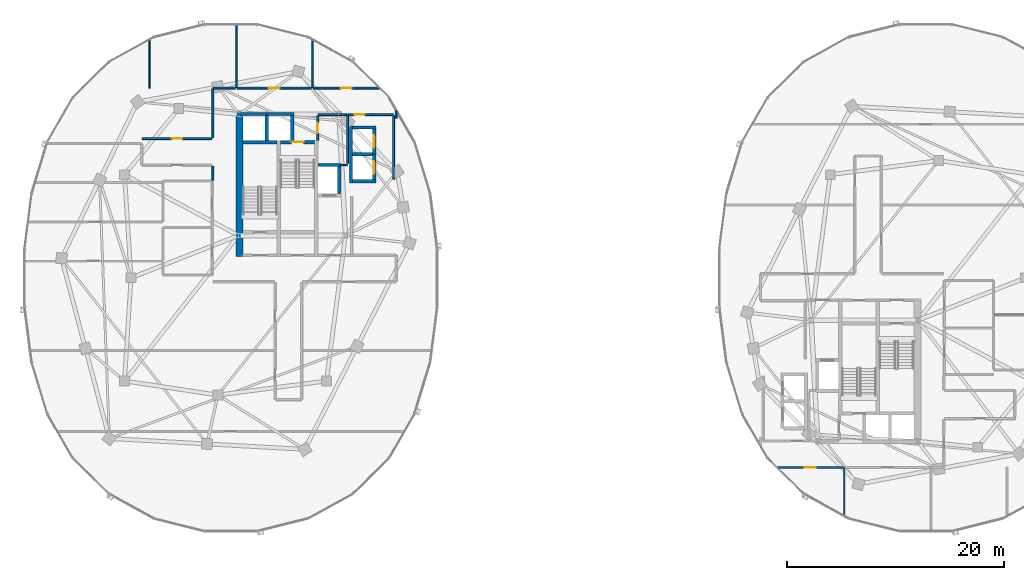
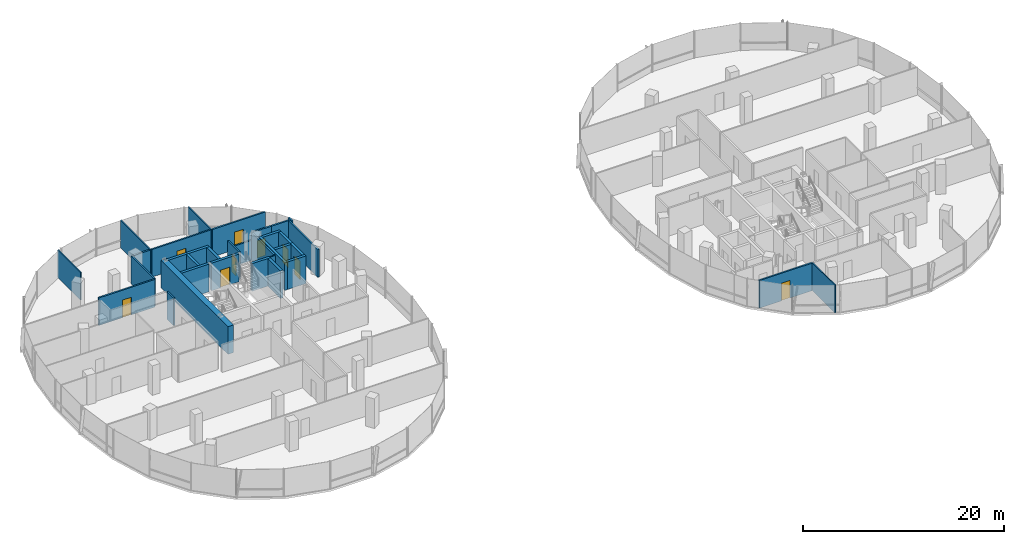
# One storey, part 13 of 23: 34 walls, 9 doors, 9 openings.
"""IFC4 building model written with IfcOpenShell, lengths in metres."""

from ifc_helpers import new_model, si_unit, direction, frame, frame_2d, origin, place, context, subcontext, project, spatial, rectangle, extrude, material, layer, layer_set, type_object, element, fill, save


model = new_model("IFC4")

# Units and contexts
model_context = context("Model", 3, precision=1e-05, world=origin(), true_north=direction((0.0, 1.0)))
body_context = subcontext(model_context, "Body", "Model", "MODEL_VIEW")
ifc_project = project(units=[si_unit("LENGTHUNIT", "METRE"), si_unit("AREAUNIT", "SQUARE_METRE"), si_unit("VOLUMEUNIT", "CUBIC_METRE"), si_unit("PLANEANGLEUNIT", "RADIAN"), si_unit("MASSUNIT", "GRAM", prefix="KILO"), si_unit("THERMODYNAMICTEMPERATUREUNIT", "KELVIN"), si_unit("POWERUNIT", "WATT")], contexts=[model_context])

# Site, building, storey
site_placement = place(None, origin())
site = spatial("IfcSite", under=ifc_project, at=site_placement, CompositionType="ELEMENT")
building_placement = place(site_placement, origin())
building = spatial("IfcBuilding", under=site, at=building_placement, Name="Cundina Bronze Exchange", CompositionType="ELEMENT")
storey_placement = place(building_placement, frame((0.0, 0.0, 172.800048828125)))
storey = spatial("IfcBuildingStorey", under=building, at=storey_placement, Name="L45", CompositionType="ELEMENT", Elevation=172.800048828125)

# Wall
ifc_material_1 = material(Name="Gypsum Fireboard Partition EI120")
ifc_layer_1 = layer(ifc_material_1, 0.179931640625, Name="Gypsum Fireboard Partition EI120")
ifc_layer_set_1 = layer_set([ifc_layer_1], Name="Gypsum Fireboard Partition EI120")
wall_type_1 = type_object("IfcWallType", Name="WL-COR-180", PredefinedType="PARTITIONING", material=ifc_layer_set_1)
wall_1_placement = place(storey_placement, frame((-17.02001953125, 9.070068359375, 0.0), z_axis=(0.0, 0.0, 1.0), x_axis=(0.0, 1.0, 0.0)))
element("IfcWall", 1, at=wall_1_placement, inside=storey, type_object=wall_type_1, Name="L45 Interior Partition 001", PredefinedType="PARTITIONING", context=body_context, shape_type="SweptSolid", body=[
    extrude(rectangle(XDim=5.85986328125, YDim=0.179931640625, at=frame_2d((2.929931640625, 0.0))), origin(), (0.0, 0.0, 1.0), 3.35986328125),
])

# Wall, opening, door
wall_2_placement = place(storey_placement, frame((-21.22998046875, 15.030029296875, 0.0), z_axis=(0.0, 0.0, 1.0), x_axis=(1.0, 0.0, 0.0)))
wall_2 = element("IfcWall", 2, at=wall_2_placement, inside=storey, type_object=wall_type_1, Name="L45 Interior Partition 002", PredefinedType="PARTITIONING", context=body_context, shape_type="SweptSolid", body=[
    extrude(rectangle(XDim=2.159912109375, YDim=0.179931640625, at=frame_2d((1.080078125, 0.0))), origin(), (0.0, 0.0, 1.0), 3.35986328125),
])
opening_1_placement = place(wall_2_placement, frame((0.60498046875, 0.0, 0.0)))
opening_1 = element("IfcOpeningElement", 3, at=opening_1_placement, cuts=wall_2, Name="Opening DW-01", PredefinedType="OPENING", context=body_context, shape_type="SweptSolid", body=[
    extrude(rectangle(XDim=0.949951171875, YDim=2.10009765625, at=frame_2d((0.47509765625, 1.050048828125))), frame((0.0, 0.099853515625, 0.0), z_axis=(0.0, -1.0, 0.0), x_axis=(1.0, 0.0, 0.0)), (0.0, 0.0, 1.0), 0.199951171875),
])
ifc_material_2 = material(Name="Solid Andean Oak Timber Grade A", Category="wood")
door_type_1 = type_object("IfcDoorType", Name="DR-WC-950", OperationType="NOTDEFINED", PredefinedType="DOOR", material=ifc_material_2)
door_1_placement = place(opening_1_placement, origin())
door_1 = element("IfcDoor", 4, at=door_1_placement, inside=storey, type_object=door_type_1, Name="L45 Interior Door 002", OperationType="SINGLE_SWING_RIGHT", OverallHeight=2.10009765625, OverallWidth=0.949951171875, PredefinedType="DOOR", context=body_context, shape_type="SweptSolid", body=[
    extrude(rectangle(XDim=0.949951171875, YDim=2.10009765625, at=frame_2d((0.47509765625, 1.050048828125))), frame((0.0, 0.02490234375, 0.0), z_axis=(0.0, -1.0, 0.0), x_axis=(1.0, 0.0, 0.0)), (0.0, 0.0, 1.0), 0.050048828125),
])
fill(opening_1, door_1)

# Walls
wall_3_placement = place(storey_placement, frame((-19.030029296875, 15.030029296875, 0.0), z_axis=(0.0, 0.0, 1.0), x_axis=(1.0, 0.0, 0.0)))
element("IfcWall", 5, at=wall_3_placement, inside=storey, type_object=wall_type_1, Name="L45 Interior Partition 003", PredefinedType="PARTITIONING", context=body_context, shape_type="SweptSolid", body=[
    extrude(rectangle(XDim=1.989990234375, YDim=0.179931640625, at=frame_2d((0.9951171875, 0.0))), origin(), (0.0, 0.0, 1.0), 3.35986328125),
])
wall_4_placement = place(storey_placement, frame((-21.25, 10.570068359375, 0.0), z_axis=(0.0, 0.0, 1.0), x_axis=(0.0, 1.0, 0.0)))
element("IfcWall", 6, at=wall_4_placement, inside=storey, type_object=wall_type_1, Name="L45 Interior Partition 005", PredefinedType="PARTITIONING", context=body_context, shape_type="SweptSolid", body=[
    extrude(rectangle(XDim=4.35986328125, YDim=0.179931640625, at=frame_2d((2.179931640625, 0.0))), origin(), (0.0, 0.0, 1.0), 3.35986328125),
])
wall_5_placement = place(storey_placement, frame((-23.9599609375, 15.030029296875, 0.0), z_axis=(0.0, 0.0, 1.0), x_axis=(1.0, 0.0, 0.0)))
element("IfcWall", 7, at=wall_5_placement, inside=storey, type_object=wall_type_1, Name="L45 Interior Partition 006", PredefinedType="PARTITIONING", context=body_context, shape_type="SweptSolid", body=[
    extrude(rectangle(XDim=2.60986328125, YDim=0.179931640625, at=frame_2d((1.304931640625, 0.0))), origin(), (0.0, 0.0, 1.0), 2.432861328125),
])

# Wall, opening, door
wall_6_placement = place(storey_placement, frame((-24.02001953125, 12.669921875, 0.0), z_axis=(0.0, 0.0, 1.0), x_axis=(0.0, 1.0, 0.0)))
wall_6 = element("IfcWall", 8, at=wall_6_placement, inside=storey, type_object=wall_type_1, Name="L45 Interior Partition 008", PredefinedType="PARTITIONING", context=body_context, shape_type="SweptSolid", body=[
    extrude(rectangle(XDim=2.260009765625, YDim=0.179931640625, at=frame_2d((1.1298828125, 0.0))), origin(), (0.0, 0.0, 1.0), 3.35986328125),
])
opening_2_placement = place(wall_6_placement, frame((0.655029296875, 0.0, 0.0)))
opening_2 = element("IfcOpeningElement", 9, at=opening_2_placement, cuts=wall_6, Name="Opening DW-01", PredefinedType="OPENING", context=body_context, shape_type="SweptSolid", body=[
    extrude(rectangle(XDim=0.949951171875, YDim=2.10009765625, at=frame_2d((0.47509765625, 1.050048828125))), frame((0.0, 0.099853515625, 0.0), z_axis=(0.0, -1.0, 0.0), x_axis=(1.0, 0.0, 0.0)), (0.0, 0.0, 1.0), 0.199951171875),
])
door_2_placement = place(opening_2_placement, origin())
door_2 = element("IfcDoor", 10, at=door_2_placement, inside=storey, type_object=door_type_1, Name="L45 Interior Door 008", OperationType="SINGLE_SWING_RIGHT", OverallHeight=2.10009765625, OverallWidth=0.949951171875, PredefinedType="DOOR", context=body_context, shape_type="SweptSolid", body=[
    extrude(rectangle(XDim=0.949951171875, YDim=2.10009765625, at=frame_2d((0.47509765625, 1.050048828125))), frame((0.0, 0.02490234375, 0.0), z_axis=(0.0, -1.0, 0.0), x_axis=(1.0, 0.0, 0.0)), (0.0, 0.0, 1.0), 0.050048828125),
])
fill(opening_2, door_2)

# Walls
wall_7_placement = place(storey_placement, frame((-16.780029296875, 14.721435546875, 0.0), z_axis=(0.0, 0.0, 1.0), x_axis=(0.0, 1.0, 0.0)))
element("IfcWall", 11, at=wall_7_placement, inside=storey, type_object=wall_type_1, Name="L45 Interior Partition 033", PredefinedType="PARTITIONING", context=body_context, shape_type="SweptSolid", body=[
    extrude(rectangle(XDim=0.68359375, YDim=0.179931640625, at=frame_2d((0.341796875, 0.0))), origin(), (0.0, 0.0, 1.0), 3.35986328125),
])
wall_8_placement = place(storey_placement, frame((-33.669921875, 10.300048828125, 0.0), z_axis=(0.0, 0.0, 1.0), x_axis=(0.0, -1.0, 0.0)))
element("IfcWall", 12, at=wall_8_placement, inside=storey, type_object=wall_type_1, Name="L45 Interior Partition 036", PredefinedType="PARTITIONING", context=body_context, shape_type="SweptSolid", body=[
    extrude(rectangle(XDim=1.298583984375, YDim=0.179931640625, at=frame_2d((0.6494140625, 0.0))), origin(), (0.0, 0.0, 1.0), 3.35986328125),
])

# Wall, opening, door
wall_9_placement = place(storey_placement, frame((-33.75, 12.820068359375, 0.0), z_axis=(0.0, 0.0, 1.0), x_axis=(-1.0, 0.0, 0.0)))
wall_9 = element("IfcWall", 13, at=wall_9_placement, inside=storey, type_object=wall_type_1, Name="L45 Interior Partition 037", PredefinedType="PARTITIONING", context=body_context, shape_type="SweptSolid", body=[
    extrude(rectangle(XDim=6.428466796875, YDim=0.179931640625, at=frame_2d((3.21435546875, 0.0))), origin(), (0.0, 0.0, 1.0), 3.35986328125),
])
opening_3_placement = place(wall_9_placement, frame((2.714111328125, 0.0, 0.0)))
opening_3 = element("IfcOpeningElement", 14, at=opening_3_placement, cuts=wall_9, Name="Opening DO-01", PredefinedType="OPENING", context=body_context, shape_type="SweptSolid", body=[
    extrude(rectangle(XDim=1.0, YDim=2.14990234375, at=frame_2d((0.5, 1.074951171875))), frame((0.0, 0.099853515625, 0.0), z_axis=(0.0, -1.0, 0.0), x_axis=(1.0, 0.0, 0.0)), (0.0, 0.0, 1.0), 0.199951171875),
])
door_type_2 = type_object("IfcDoorType", Name="DR-OFF-1000", OperationType="NOTDEFINED", PredefinedType="DOOR", material=ifc_material_2)
door_3_placement = place(opening_3_placement, origin())
door_3 = element("IfcDoor", 15, at=door_3_placement, inside=storey, type_object=door_type_2, Name="L45 Interior Door 037", OperationType="SINGLE_SWING_RIGHT", OverallHeight=2.14990234375, OverallWidth=1.0, PredefinedType="DOOR", context=body_context, shape_type="SweptSolid", body=[
    extrude(rectangle(XDim=1.0, YDim=2.14990234375, at=frame_2d((0.5, 1.074951171875))), frame((0.0, 0.02490234375, 0.0), z_axis=(0.0, -1.0, 0.0), x_axis=(1.0, 0.0, 0.0)), (0.0, 0.0, 1.0), 0.050048828125),
])
fill(opening_3, door_3)

# Walls
wall_10_placement = place(storey_placement, frame((-33.669921875, 17.428466796875, 0.0), z_axis=(0.0, 0.0, 1.0), x_axis=(0.0, -1.0, 0.0)))
element("IfcWall", 16, at=wall_10_placement, inside=storey, type_object=wall_type_1, Name="L45 Interior Partition 038", PredefinedType="PARTITIONING", context=body_context, shape_type="SweptSolid", body=[
    extrude(rectangle(XDim=4.528564453125, YDim=0.179931640625, at=frame_2d((2.26416015625, 0.0))), origin(), (0.0, 0.0, 1.0), 3.35986328125),
])
wall_11_placement = place(storey_placement, frame((-31.590087890625, 17.469970703125, 0.0), z_axis=(0.0, 0.0, 1.0), x_axis=(-1.0, 0.0, 0.0)))
element("IfcWall", 17, at=wall_11_placement, inside=storey, type_object=wall_type_1, Name="L45 Interior Partition 039", PredefinedType="PARTITIONING", context=body_context, shape_type="SweptSolid", body=[
    extrude(rectangle(XDim=2.038330078125, YDim=0.179931640625, at=frame_2d((1.01904296875, 0.0))), origin(), (0.0, 0.0, 1.0), 3.35986328125),
])

# Wall, opening, door
wall_12_placement = place(storey_placement, frame((-18.341796875, 17.469970703125, 0.0), z_axis=(0.0, 0.0, 1.0), x_axis=(-1.0, 0.0, 0.0)))
wall_12 = element("IfcWall", 18, at=wall_12_placement, inside=storey, type_object=wall_type_1, Name="L45 Interior Partition 040", PredefinedType="PARTITIONING", context=body_context, shape_type="SweptSolid", body=[
    extrude(rectangle(XDim=6.068115234375, YDim=0.179931640625, at=frame_2d((3.0341796875, 0.0))), origin(), (0.0, 0.0, 1.0), 3.35986328125),
])
opening_4_placement = place(wall_12_placement, frame((2.5341796875, 0.0, 0.0)))
opening_4 = element("IfcOpeningElement", 19, at=opening_4_placement, cuts=wall_12, Name="Opening DO-01", PredefinedType="OPENING", context=body_context, shape_type="SweptSolid", body=[
    extrude(rectangle(XDim=1.0, YDim=2.14990234375, at=frame_2d((0.5, 1.074951171875))), frame((0.0, 0.099853515625, 0.0), z_axis=(0.0, -1.0, 0.0), x_axis=(1.0, 0.0, 0.0)), (0.0, 0.0, 1.0), 0.199951171875),
])
door_4_placement = place(opening_4_placement, origin())
door_4 = element("IfcDoor", 20, at=door_4_placement, inside=storey, type_object=door_type_2, Name="L45 Interior Door 040", OperationType="SINGLE_SWING_LEFT", OverallHeight=2.14990234375, OverallWidth=1.0, PredefinedType="DOOR", context=body_context, shape_type="SweptSolid", body=[
    extrude(rectangle(XDim=1.0, YDim=2.14990234375, at=frame_2d((0.5, 1.074951171875))), frame((0.0, 0.02490234375, 0.0), z_axis=(0.0, -1.0, 0.0), x_axis=(1.0, 0.0, 0.0)), (0.0, 0.0, 1.0), 0.050048828125),
])
fill(opening_4, door_4)

wall_13_placement = place(storey_placement, frame((-24.590087890625, 17.469970703125, 0.0), z_axis=(0.0, 0.0, 1.0), x_axis=(-1.0, 0.0, 0.0)))
wall_13 = element("IfcWall", 21, at=wall_13_placement, inside=storey, type_object=wall_type_1, Name="L45 Interior Partition 041", PredefinedType="PARTITIONING", context=body_context, shape_type="SweptSolid", body=[
    extrude(rectangle(XDim=6.81982421875, YDim=0.179931640625, at=frame_2d((3.409912109375, 0.0))), origin(), (0.0, 0.0, 1.0), 3.35986328125),
])
opening_5_placement = place(wall_13_placement, frame((2.909912109375, 0.0, 0.0)))
opening_5 = element("IfcOpeningElement", 22, at=opening_5_placement, cuts=wall_13, Name="Opening DO-01", PredefinedType="OPENING", context=body_context, shape_type="SweptSolid", body=[
    extrude(rectangle(XDim=1.0, YDim=2.14990234375, at=frame_2d((0.5, 1.074951171875))), frame((0.0, 0.099853515625, 0.0), z_axis=(0.0, -1.0, 0.0), x_axis=(1.0, 0.0, 0.0)), (0.0, 0.0, 1.0), 0.199951171875),
])
door_5_placement = place(opening_5_placement, origin())
door_5 = element("IfcDoor", 23, at=door_5_placement, inside=storey, type_object=door_type_2, Name="L45 Interior Door 041", OperationType="SINGLE_SWING_LEFT", OverallHeight=2.14990234375, OverallWidth=1.0, PredefinedType="DOOR", context=body_context, shape_type="SweptSolid", body=[
    extrude(rectangle(XDim=1.0, YDim=2.14990234375, at=frame_2d((0.5, 1.074951171875))), frame((0.0, 0.02490234375, 0.0), z_axis=(0.0, -1.0, 0.0), x_axis=(1.0, 0.0, 0.0)), (0.0, 0.0, 1.0), 0.050048828125),
])
fill(opening_5, door_5)

wall_14_placement = place(storey_placement, frame((18.341796875, -17.469970703125, 0.0), z_axis=(0.0, 0.0, 1.0), x_axis=(1.0, 0.0, 0.0)))
wall_14 = element("IfcWall", 24, at=wall_14_placement, inside=storey, type_object=wall_type_1, Name="L45 Interior Partition 068", PredefinedType="PARTITIONING", context=body_context, shape_type="SweptSolid", body=[
    extrude(rectangle(XDim=6.068115234375, YDim=0.179931640625, at=frame_2d((3.0341796875, 0.0))), origin(), (0.0, 0.0, 1.0), 3.35986328125),
])
opening_6_placement = place(wall_14_placement, frame((2.5341796875, 0.0, 0.0)))
opening_6 = element("IfcOpeningElement", 25, at=opening_6_placement, cuts=wall_14, Name="Opening DO-01", PredefinedType="OPENING", context=body_context, shape_type="SweptSolid", body=[
    extrude(rectangle(XDim=1.0, YDim=2.14990234375, at=frame_2d((0.5, 1.074951171875))), frame((0.0, 0.099853515625, 0.0), z_axis=(0.0, -1.0, 0.0), x_axis=(1.0, 0.0, 0.0)), (0.0, 0.0, 1.0), 0.199951171875),
])
door_6_placement = place(opening_6_placement, origin())
door_6 = element("IfcDoor", 26, at=door_6_placement, inside=storey, type_object=door_type_2, Name="L45 Interior Door 068", OperationType="SINGLE_SWING_RIGHT", OverallHeight=2.14990234375, OverallWidth=1.0, PredefinedType="DOOR", context=body_context, shape_type="SweptSolid", body=[
    extrude(rectangle(XDim=1.0, YDim=2.14990234375, at=frame_2d((0.5, 1.074951171875))), frame((0.0, 0.02490234375, 0.0), z_axis=(0.0, -1.0, 0.0), x_axis=(1.0, 0.0, 0.0)), (0.0, 0.0, 1.0), 0.050048828125),
])
fill(opening_6, door_6)

# Walls
ifc_material_3 = material(Name="Concrete C50/60", Category="concrete")
ifc_layer_2 = layer(ifc_material_3, 0.64990234375, Name="Concrete C50/60", Category="concrete")
ifc_layer_set_2 = layer_set([ifc_layer_2], Name="Concrete C50/60")
wall_type_2 = type_object("IfcWallType", Name="WL-CORE-650", PredefinedType="SHEAR", material=ifc_layer_set_2)
wall_15_placement = place(storey_placement, frame((-31.22509765625, 1.969970703125, 0.0), z_axis=(0.0, 0.0, 1.0), x_axis=(0.0, 1.0, 0.0)))
element("IfcWall", 27, at=wall_15_placement, inside=storey, type_object=wall_type_2, Name="L45 W Primary Core Shear Spine Wall", PredefinedType="SHEAR", context=body_context, shape_type="SweptSolid", body=[
    extrude(rectangle(XDim=13.330078125, YDim=0.64990234375, at=frame_2d((6.6650390625, 0.0))), origin(), (0.0, 0.0, 1.0), 3.35986328125),
])
ifc_material_4 = material(Name="Gypsum Acoustic Partition EI60")
ifc_layer_3 = layer(ifc_material_4, 0.125, Name="Gypsum Acoustic Partition EI60")
ifc_layer_set_3 = layer_set([ifc_layer_3], Name="Gypsum Acoustic Partition EI60")
wall_type_3 = type_object("IfcWallType", Name="WL-OFF-125", PredefinedType="PARTITIONING", material=ifc_layer_set_3)
wall_16_placement = place(storey_placement, frame((-39.5, 17.469970703125, 0.0), z_axis=(0.0, 0.0, 1.0), x_axis=(0.0, 1.0, 0.0)))
element("IfcWall", 28, at=wall_16_placement, inside=storey, type_object=wall_type_3, Name="L45 Interior Partition 021", PredefinedType="PARTITIONING", context=body_context, shape_type="SweptSolid", body=[
    extrude(rectangle(XDim=4.55517578125, YDim=0.125, at=frame_2d((2.277587890625, 0.0))), origin(), (0.0, 0.0, 1.0), 3.35986328125),
])
wall_17_placement = place(storey_placement, frame((-31.5, 17.5, 0.0), z_axis=(0.0, 0.0, 1.0), x_axis=(0.0, 1.0, 0.0)))
element("IfcWall", 29, at=wall_17_placement, inside=storey, type_object=wall_type_3, Name="L45 Interior Partition 022", PredefinedType="PARTITIONING", context=body_context, shape_type="SweptSolid", body=[
    extrude(rectangle(XDim=5.902099609375, YDim=0.125, at=frame_2d((2.951171875, 0.0))), origin(), (0.0, 0.0, 1.0), 3.35986328125),
])
for number, where, z_axis, x_axis, name in (
    (30, (-24.5, 17.5, 0.0), (0.0, 0.0, 1.0), (0.0, 1.0, 0.0), "L45 Interior Partition 023"),
    (31, (24.5, -22.025146484375, 0.0), (0.0, 0.0, 1.0), (0.0, 1.0, 0.0), "L45 Interior Partition 064"),
):
    element("IfcWall", number, at=place(storey_placement, frame(where, z_axis=z_axis, x_axis=x_axis)), inside=storey, type_object=wall_type_3, Name=name, PredefinedType="PARTITIONING", context=body_context, shape_type="SweptSolid", body=[
        extrude(rectangle(XDim=4.525146484375, YDim=0.125, at=frame_2d((2.2626953125, 0.0))), origin(), (0.0, 0.0, 1.0), 3.35986328125),
    ])
ifc_layer_4 = layer(ifc_material_3, 0.300048828125, Name="Concrete C50/60", Category="concrete")
ifc_layer_set_4 = layer_set([ifc_layer_4], Name="Concrete C50/60")
wall_type_4 = type_object("IfcWallType", Name="WL-SHFT-300", PredefinedType="SHEAR", material=ifc_layer_set_4)
wall_18_placement = place(storey_placement, frame((-30.89990234375, 12.5, 0.0), z_axis=(0.0, 0.0, 1.0), x_axis=(1.0, 0.0, 0.0)))
element("IfcWall", 32, at=wall_18_placement, inside=storey, type_object=wall_type_4, Name="L45 Stair W1 Far Shaft Wall", PredefinedType="SHEAR", context=body_context, shape_type="SweptSolid", body=[
    extrude(rectangle(XDim=3.159912109375, YDim=0.300048828125, at=frame_2d((1.580078125, 0.0))), origin(), (0.0, 0.0, 1.0), 3.35986328125),
])

# Wall, opening, door
wall_19_placement = place(storey_placement, frame((-27.43994140625, 12.5, 0.0), z_axis=(0.0, 0.0, 1.0), x_axis=(1.0, 0.0, 0.0)))
wall_19 = element("IfcWall", 33, at=wall_19_placement, inside=storey, type_object=wall_type_4, Name="L45 Stair W2 Landing Wall", PredefinedType="SHEAR", context=body_context, shape_type="SweptSolid", body=[
    extrude(rectangle(XDim=3.159912109375, YDim=0.300048828125, at=frame_2d((1.580078125, 0.0))), origin(), (0.0, 0.0, 1.0), 3.35986328125),
])
opening_7_placement = place(wall_19_placement, frame((1.030029296875, 0.0, 0.0)))
opening_7 = element("IfcOpeningElement", 34, at=opening_7_placement, cuts=wall_19, Name="Opening DS-01", PredefinedType="OPENING", context=body_context, shape_type="SweptSolid", body=[
    extrude(rectangle(XDim=1.10009765625, YDim=2.14990234375, at=frame_2d((0.550048828125, 1.074951171875))), frame((0.0, 0.159912109375, 0.0), z_axis=(0.0, -1.0, 0.0), x_axis=(1.0, 0.0, 0.0)), (0.0, 0.0, 1.0), 0.320068359375),
])
ifc_material_5 = material(Name="Steel ASTM A36 Painted", Category="steel")
door_type_3 = type_object("IfcDoorType", Name="DR-STR-1100", OperationType="NOTDEFINED", PredefinedType="DOOR", material=ifc_material_5)
door_7_placement = place(opening_7_placement, origin())
door_7 = element("IfcDoor", 35, at=door_7_placement, inside=storey, type_object=door_type_3, Name="L45 Smokeproof Stair W2 Door", OperationType="SINGLE_SWING_LEFT", OverallHeight=2.14990234375, OverallWidth=1.10009765625, PredefinedType="DOOR", context=body_context, shape_type="SweptSolid", body=[
    extrude(rectangle(XDim=1.10009765625, YDim=2.14990234375, at=frame_2d((0.550048828125, 1.074951171875))), frame((0.0, 0.02490234375, 0.0), z_axis=(0.0, -1.0, 0.0), x_axis=(1.0, 0.0, 0.0)), (0.0, 0.0, 1.0), 0.050048828125),
])
fill(opening_7, door_7)

# Walls
wall_20_placement = place(storey_placement, frame((-23.97998046875, 10.39990234375, 0.0), z_axis=(0.0, 0.0, 1.0), x_axis=(1.0, 0.0, 0.0)))
element("IfcWall", 36, at=wall_20_placement, inside=storey, type_object=wall_type_4, Name="L45 FFL-W Hoistway Back Wall", PredefinedType="SHEAR", context=body_context, shape_type="SweptSolid", body=[
    extrude(rectangle(XDim=2.10009765625, YDim=0.300048828125, at=frame_2d((1.050048828125, 0.0))), origin(), (0.0, 0.0, 1.0), 3.35986328125),
])
for number, where, z_axis, x_axis, name in (
    (37, (-22.030029296875, 7.75, 0.0), (0.0, 0.0, 1.0), (0.0, 1.0, 0.0), "L45 FFL-W Hoistway Side Wall"),
    (38, (-31.199951171875, 15.10009765625, 0.0), (0.0, 0.0, 1.0), (1.0, 0.0, 0.0), "L45 PH-W1 Hoistway Front Wall"),
):
    element("IfcWall", number, at=place(storey_placement, frame(where, z_axis=z_axis, x_axis=x_axis)), inside=storey, type_object=wall_type_4, Name=name, PredefinedType="SHEAR", context=body_context, shape_type="SweptSolid", body=[
        extrude(rectangle(XDim=2.5, YDim=0.300048828125, at=frame_2d((1.25, 0.0))), origin(), (0.0, 0.0, 1.0), 3.35986328125),
    ])
wall_21_placement = place(storey_placement, frame((-28.699951171875, 12.64990234375, 0.0), z_axis=(0.0, 0.0, 1.0), x_axis=(0.0, 1.0, 0.0)))
element("IfcWall", 39, at=wall_21_placement, inside=storey, type_object=wall_type_4, Name="L45 PH-W1 Hoistway Divider Wall", PredefinedType="SHEAR", context=body_context, shape_type="SweptSolid", body=[
    extrude(rectangle(XDim=2.300048828125, YDim=0.300048828125, at=frame_2d((1.14990234375, 0.0))), origin(), (0.0, 0.0, 1.0), 3.35986328125),
])
wall_22_placement = place(storey_placement, frame((-28.699951171875, 15.10009765625, 0.0), z_axis=(0.0, 0.0, 1.0), x_axis=(1.0, 0.0, 0.0)))
element("IfcWall", 40, at=wall_22_placement, inside=storey, type_object=wall_type_4, Name="L45 PH-W2 Hoistway Front Wall", PredefinedType="SHEAR", context=body_context, shape_type="SweptSolid", body=[
    extrude(rectangle(XDim=2.5, YDim=0.300048828125, at=frame_2d((1.25, 0.0))), origin(), (0.0, 0.0, 1.0), 3.35986328125),
])
wall_23_placement = place(storey_placement, frame((-26.35009765625, 12.64990234375, 0.0), z_axis=(0.0, 0.0, 1.0), x_axis=(0.0, 1.0, 0.0)))
element("IfcWall", 41, at=wall_23_placement, inside=storey, type_object=wall_type_4, Name="L45 PH-W2 Hoistway Divider Wall", PredefinedType="SHEAR", context=body_context, shape_type="SweptSolid", body=[
    extrude(rectangle(XDim=2.300048828125, YDim=0.300048828125, at=frame_2d((1.14990234375, 0.0))), origin(), (0.0, 0.0, 1.0), 3.35986328125),
])
wall_24_placement = place(storey_placement, frame((-20.949951171875, 8.75, 0.0), z_axis=(0.0, 0.0, 1.0), x_axis=(0.0, 1.0, 0.0)))
element("IfcWall", 42, at=wall_24_placement, inside=storey, type_object=wall_type_4, Name="L45 W Passenger Bank Hoistway Back Wall", PredefinedType="SHEAR", context=body_context, shape_type="SweptSolid", body=[
    extrude(rectangle(XDim=5.25, YDim=0.300048828125, at=frame_2d((2.625, 0.0))), origin(), (0.0, 0.0, 1.0), 3.35986328125),
])
for number, where, z_axis, x_axis, name in (
    (43, (-20.800048828125, 8.89990234375, 0.0), (0.0, 0.0, 1.0), (1.0, 0.0, 0.0), "L45 W Passenger Bank South Cap Wall"),
    (44, (-20.800048828125, 13.85009765625, 0.0), (0.0, 0.0, 1.0), (1.0, 0.0, 0.0), "L45 W Passenger Bank North Cap Wall"),
):
    element("IfcWall", number, at=place(storey_placement, frame(where, z_axis=z_axis, x_axis=x_axis)), inside=storey, type_object=wall_type_4, Name=name, PredefinedType="SHEAR", context=body_context, shape_type="SweptSolid", body=[
        extrude(rectangle(XDim=2.150146484375, YDim=0.300048828125, at=frame_2d((1.0751953125, 0.0))), origin(), (0.0, 0.0, 1.0), 3.35986328125),
    ])
wall_25_placement = place(storey_placement, frame((-20.800048828125, 11.375, 0.0), z_axis=(0.0, 0.0, 1.0), x_axis=(1.0, 0.0, 0.0)))
element("IfcWall", 45, at=wall_25_placement, inside=storey, type_object=wall_type_4, Name="L45 W Passenger Hoistway Divider 1", PredefinedType="SHEAR", context=body_context, shape_type="SweptSolid", body=[
    extrude(rectangle(XDim=1.85009765625, YDim=0.300048828125, at=frame_2d((0.925048828125, 0.0))), origin(), (0.0, 0.0, 1.0), 3.35986328125),
])

# Wall, opening, door
wall_26_placement = place(storey_placement, frame((-18.800048828125, 8.929931640625, 0.0), z_axis=(0.0, 0.0, 1.0), x_axis=(0.0, 1.0, 0.0)))
wall_26 = element("IfcWall", 46, at=wall_26_placement, inside=storey, type_object=wall_type_4, Name="L45 PM-W2 Hoistway Front Wall", PredefinedType="SHEAR", context=body_context, shape_type="SweptSolid", body=[
    extrude(rectangle(XDim=2.489990234375, YDim=0.300048828125, at=frame_2d((1.2451171875, 0.0))), origin(), (0.0, 0.0, 1.0), 3.35986328125),
])
opening_8_placement = place(wall_26_placement, frame((0.669921875, 0.0, 0.0)))
opening_8 = element("IfcOpeningElement", 47, at=opening_8_placement, cuts=wall_26, Name="Opening LD-01", PredefinedType="OPENING", context=body_context, shape_type="SweptSolid", body=[
    extrude(rectangle(XDim=1.14990234375, YDim=2.199951171875, at=frame_2d((0.574951171875, 1.10009765625))), frame((0.0, 0.159912109375, 0.0), z_axis=(0.0, -1.0, 0.0), x_axis=(1.0, 0.0, 0.0)), (0.0, 0.0, 1.0), 0.320068359375),
])
door_type_4 = type_object("IfcDoorType", Name="DR-LND-1150", OperationType="NOTDEFINED", PredefinedType="TRAPDOOR", material=ifc_material_5)
door_8_placement = place(opening_8_placement, origin())
door_8 = element("IfcDoor", 48, at=door_8_placement, inside=storey, type_object=door_type_4, Name="L45 PM-W2 Sliding Landing Door", OperationType="SLIDING_TO_LEFT", OverallHeight=2.199951171875, OverallWidth=1.14990234375, PredefinedType="TRAPDOOR", context=body_context, shape_type="SweptSolid", body=[
    extrude(rectangle(XDim=1.14990234375, YDim=2.199951171875, at=frame_2d((0.574951171875, 1.10009765625))), frame((0.0, 0.02490234375, 0.0), z_axis=(0.0, -1.0, 0.0), x_axis=(1.0, 0.0, 0.0)), (0.0, 0.0, 1.0), 0.050048828125),
])
fill(opening_8, door_8)

wall_27_placement = place(storey_placement, frame((-18.800048828125, 11.330078125, 0.0), z_axis=(0.0, 0.0, 1.0), x_axis=(0.0, 1.0, 0.0)))
wall_27 = element("IfcWall", 49, at=wall_27_placement, inside=storey, type_object=wall_type_4, Name="L45 PM-W1 Hoistway Front Wall", PredefinedType="SHEAR", context=body_context, shape_type="SweptSolid", body=[
    extrude(rectangle(XDim=2.489990234375, YDim=0.300048828125, at=frame_2d((1.2451171875, 0.0))), origin(), (0.0, 0.0, 1.0), 3.35986328125),
])
opening_9_placement = place(wall_27_placement, frame((0.669921875, 0.0, 0.0)))
opening_9 = element("IfcOpeningElement", 50, at=opening_9_placement, cuts=wall_27, Name="Opening LD-01", PredefinedType="OPENING", context=body_context, shape_type="SweptSolid", body=[
    extrude(rectangle(XDim=1.14990234375, YDim=2.199951171875, at=frame_2d((0.574951171875, 1.10009765625))), frame((0.0, 0.159912109375, 0.0), z_axis=(0.0, -1.0, 0.0), x_axis=(1.0, 0.0, 0.0)), (0.0, 0.0, 1.0), 0.320068359375),
])
door_9_placement = place(opening_9_placement, origin())
door_9 = element("IfcDoor", 51, at=door_9_placement, inside=storey, type_object=door_type_4, Name="L45 PM-W1 Sliding Landing Door", OperationType="SLIDING_TO_LEFT", OverallHeight=2.199951171875, OverallWidth=1.14990234375, PredefinedType="TRAPDOOR", context=body_context, shape_type="SweptSolid", body=[
    extrude(rectangle(XDim=1.14990234375, YDim=2.199951171875, at=frame_2d((0.574951171875, 1.10009765625))), frame((0.0, 0.02490234375, 0.0), z_axis=(0.0, -1.0, 0.0), x_axis=(1.0, 0.0, 0.0)), (0.0, 0.0, 1.0), 0.050048828125),
])
fill(opening_9, door_9)

# Wall
ifc_material_6 = material(Name="Moisture-Resistant Masonry Block Grade M15", Category="masonry")
ifc_layer_5 = layer(ifc_material_6, 0.139892578125, Name="Moisture-Resistant Masonry Block Grade M15", Category="masonry")
ifc_layer_set_5 = layer_set([ifc_layer_5], Name="Moisture-Resistant Masonry Block Grade M15")
wall_type_5 = type_object("IfcWallType", Name="WL-WET-140", PredefinedType="PARTITIONING", material=ifc_layer_set_5)
wall_28_placement = place(storey_placement, frame((-21.860107421875, 10.39990234375, 0.0), z_axis=(0.0, 0.0, 1.0), x_axis=(1.0, 0.0, 0.0)))
element("IfcWall", 52, at=wall_28_placement, inside=storey, type_object=wall_type_5, Name="L45 Interior Partition 004", PredefinedType="PARTITIONING", context=body_context, shape_type="SweptSolid", body=[
    extrude(rectangle(XDim=0.590087890625, YDim=0.139892578125, at=frame_2d((0.294921875, 0.0))), origin(), (0.0, 0.0, 1.0), 3.35986328125),
])

save(model, "model.ifc")
